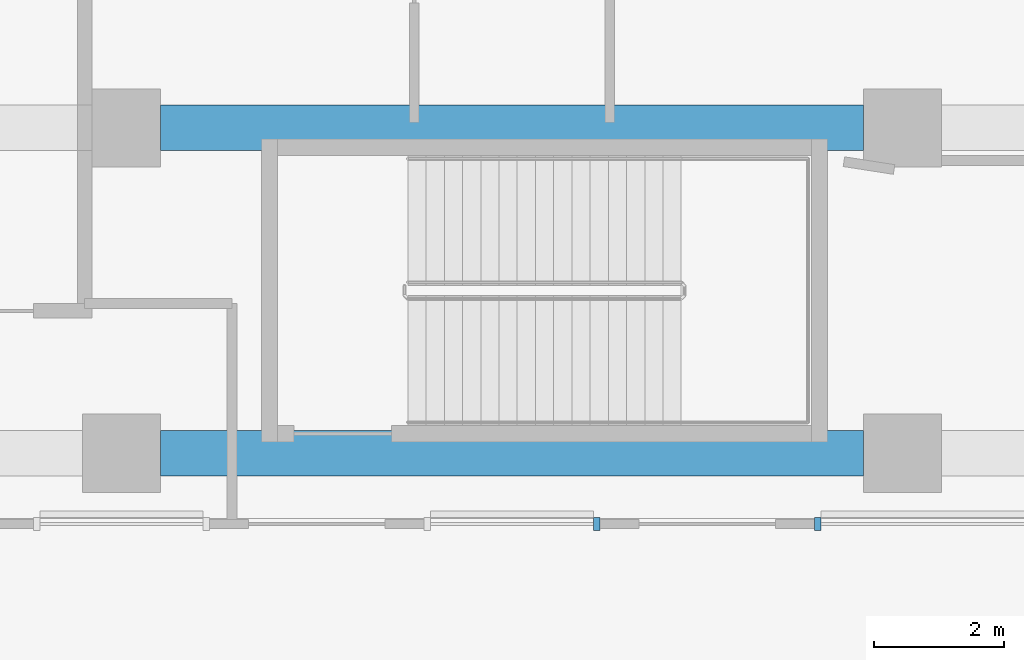
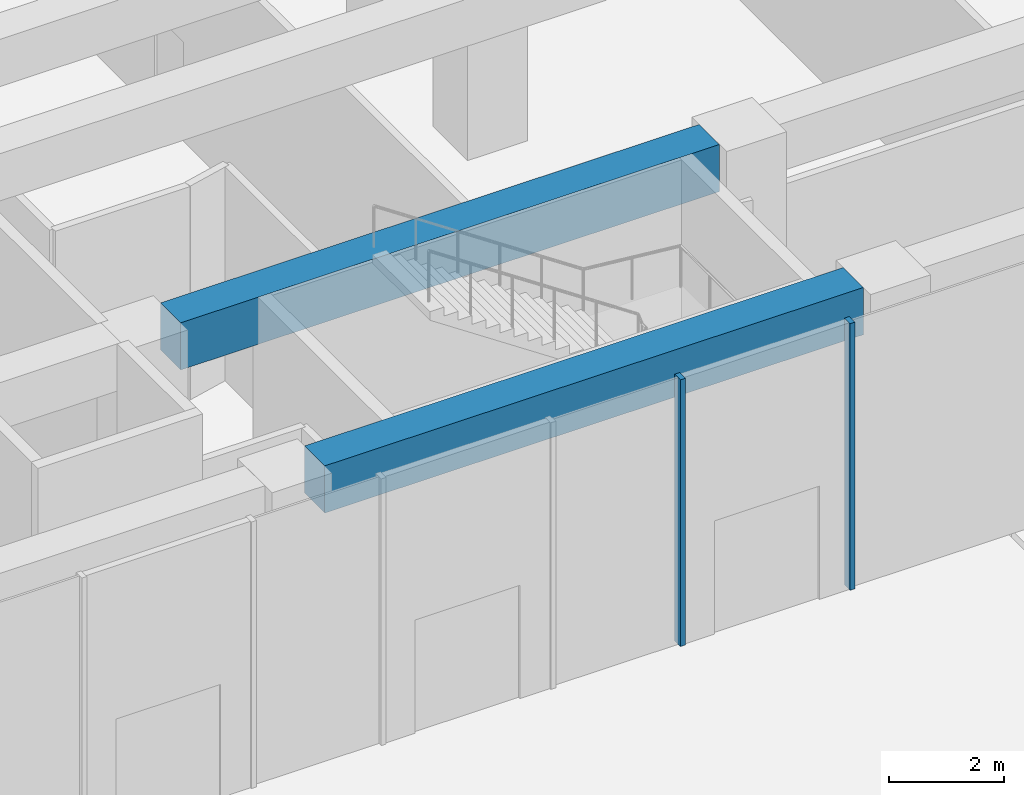
# One storey, part 3 of 32: 2 beams, 2 members, 2 elements without a shape of their own.
"""IFC4 building model written with IfcOpenShell, lengths in metres."""

from ifc_helpers import new_model, si_unit, direction, frame, origin, origin_2d, place, context, subcontext, project, spatial, rectangle, extrude, material, layer, layer_set, material_profile, profile_set, type_object, element, aggregate, save


model = new_model("IFC4")

# Units and contexts
model_context = context("Model", 3, precision=1e-05, world=origin(), true_north=direction((0.0, 1.0)))
body_context = subcontext(model_context, "Body", "Model", "MODEL_VIEW")
ifc_project = project(units=[si_unit("LENGTHUNIT", "METRE"), si_unit("AREAUNIT", "SQUARE_METRE"), si_unit("VOLUMEUNIT", "CUBIC_METRE"), si_unit("PLANEANGLEUNIT", "RADIAN"), si_unit("MASSUNIT", "GRAM", prefix="KILO")], contexts=[model_context])

# Site, building, storey
site_placement = place(None, origin())
site = spatial("IfcSite", under=ifc_project, at=site_placement, CompositionType="ELEMENT")
building_placement = place(site_placement, origin())
building = spatial("IfcBuilding", under=site, at=building_placement, Name="Welwitschia Terrace Campus", CompositionType="ELEMENT")
storey_placement = place(building_placement, origin())
storey = spatial("IfcBuildingStorey", under=building, at=storey_placement, Name="L00", CompositionType="ELEMENT", Elevation=0.0)

# Beams
ifc_material_1 = material(Name="Concrete C60/75", Category="concrete")
ifc_material_profile_1 = material_profile(ifc_material_1, rectangle(XDim=0.699951171875, YDim=1.0, at=origin_2d()))
ifc_profile_set_1 = profile_set([ifc_material_profile_1], Name="Concrete C60/75")
beam_type = type_object("IfcBeamType", Name="Base block beam 700x1000", PredefinedType="BEAM", material=ifc_profile_set_1)
for number, where, z_axis, x_axis, name in (
    (1, (24.6005859375, -9.0, 5.14990234375), (1.0, 0.0, 0.0), (0.0, 1.0, 0.0), "Beam BB1"),
    (2, (24.6005859375, -4.0, 5.14990234375), (1.0, 0.0, 0.0), (0.0, 1.0, 0.0), "Beam BB1"),
):
    element("IfcBeam", number, at=place(storey_placement, frame(where, z_axis=z_axis, x_axis=x_axis)), inside=storey, type_object=beam_type, Name=name, PredefinedType="BEAM", context=body_context, shape_type="SweptSolid", body=[
        extrude(rectangle(XDim=0.699951171875, YDim=1.0, at=origin_2d()), origin(), (0.0, 0.0, 1.0), 10.798828125),
    ])

# Curtain wall, member
ifc_material_2 = material(Name="Bronze anodised aluminium", Category="aluminium")
ifc_layer = layer(ifc_material_2, 0.199951171875)
ifc_layer_set = layer_set([ifc_layer], Name="Bronze anodised aluminium")
curtain_wall_type = type_object("IfcCurtainWallType", Name="Curtain wall CW4 arcade shopfront 7500", PredefinedType="NOTDEFINED", material=ifc_layer_set)
curtain_wall_1_placement = place(storey_placement, origin())
curtain_wall_1 = element("IfcCurtainWall", 3, at=curtain_wall_1_placement, inside=storey, type_object=curtain_wall_type, Name="CW L00.0.g5", PredefinedType="NOTDEFINED")
ifc_material_3 = material(Name="Bronze anodised aluminium", Category="aluminium")
ifc_material_profile_2 = material_profile(ifc_material_3, rectangle(XDim=0.199951171875, YDim=0.10009765625, at=origin_2d()))
ifc_profile_set_2 = profile_set([ifc_material_profile_2], Name="Bronze anodised aluminium")
member_type = type_object("IfcMemberType", Name="Mullion 100x200", PredefinedType="MULLION", material=ifc_profile_set_2)
member_1_placement = place(storey_placement, frame((31.300048828125, -10.0849609375, 0.0), z_axis=(0.0, 0.0, 1.0), x_axis=(0.0, 1.0, 0.0)))
member_1 = element("IfcMember", 4, at=member_1_placement, type_object=member_type, Name="Mullion L00.0.g5.1", PredefinedType="MULLION", context=body_context, shape_type="SweptSolid", body=[
    extrude(rectangle(XDim=0.199951171875, YDim=0.10009765625, at=origin_2d()), origin(), (0.0, 0.0, 1.0), 5.64990234375),
])
aggregate(curtain_wall_1, [member_1])

curtain_wall_2_placement = place(storey_placement, origin())
curtain_wall_2 = element("IfcCurtainWall", 5, at=curtain_wall_2_placement, inside=storey, type_object=curtain_wall_type, Name="CW L00.0.g6", PredefinedType="NOTDEFINED")
member_2_placement = place(storey_placement, frame((34.699951171875, -10.0849609375, 0.0), z_axis=(0.0, 0.0, 1.0), x_axis=(0.0, 1.0, 0.0)))
member_2 = element("IfcMember", 6, at=member_2_placement, type_object=member_type, Name="Mullion L00.0.g6.0", PredefinedType="MULLION", context=body_context, shape_type="SweptSolid", body=[
    extrude(rectangle(XDim=0.199951171875, YDim=0.10009765625, at=origin_2d()), origin(), (0.0, 0.0, 1.0), 5.64990234375),
])
aggregate(curtain_wall_2, [member_2])

save(model, "model.ifc")
